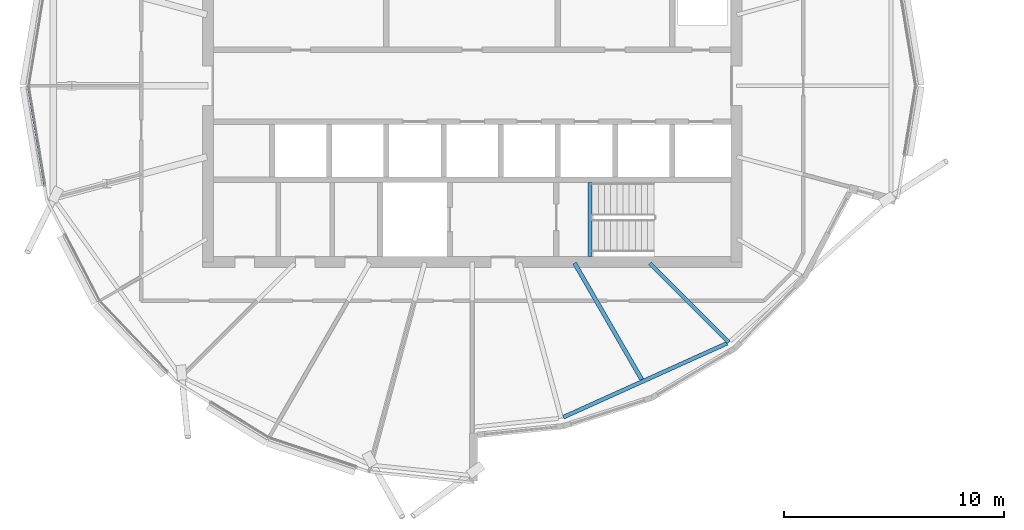
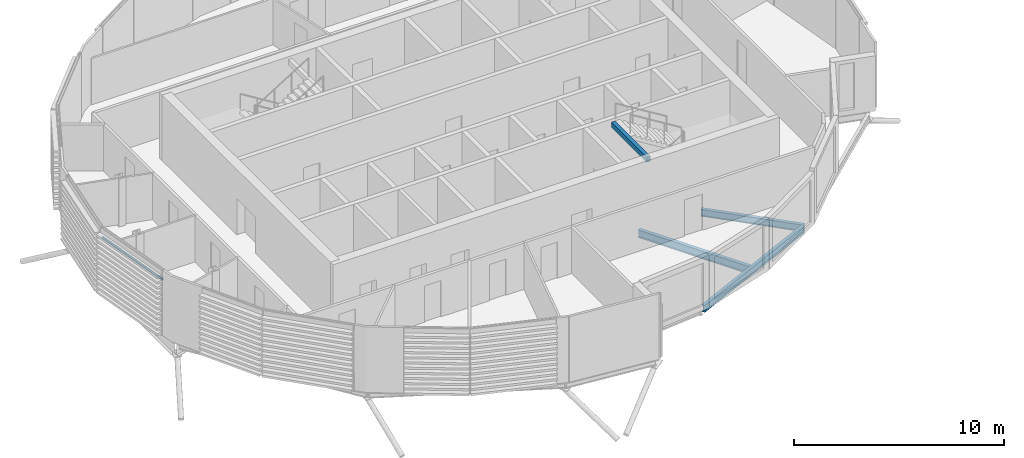
# One storey, part 4 of 34: 4 beams, 1 member, 1 element without a shape of its own.
"""IFC4 building model written with IfcOpenShell, lengths in metres."""

from ifc_helpers import new_model, si_unit, direction, frame, origin, origin_2d, place, context, subcontext, project, spatial, rectangle, hollow_rectangle, i_section, extrude, material, material_profile, profile_set, type_object, element, aggregate, save


model = new_model("IFC4")

# Units and contexts
model_context = context("Model", 3, precision=1e-05, world=origin(), true_north=direction((0.0, 1.0)))
body_context = subcontext(model_context, "Body", "Model", "MODEL_VIEW")
ifc_project = project(units=[si_unit("LENGTHUNIT", "METRE"), si_unit("AREAUNIT", "SQUARE_METRE"), si_unit("VOLUMEUNIT", "CUBIC_METRE"), si_unit("PLANEANGLEUNIT", "RADIAN"), si_unit("MASSUNIT", "GRAM", prefix="KILO")], contexts=[model_context])

# Site, building, storey
site_placement = place(None, origin())
site = spatial("IfcSite", under=ifc_project, at=site_placement, CompositionType="ELEMENT")
building_placement = place(site_placement, origin())
building = spatial("IfcBuilding", under=site, at=building_placement, Name="Rimbun Link Towers", CompositionType="ELEMENT")
storey_placement = place(building_placement, frame((0.0, 0.0, 252.300048828125)))
storey = spatial("IfcBuildingStorey", under=building, at=storey_placement, Name="L62", CompositionType="ELEMENT", Elevation=252.300048828125)

# Curtain wall, member
ifc_material_1 = material(Name="Aluminium 6063-T6 and low-iron glass", Category="aluminium")
curtain_wall_type = type_object("IfcCurtainWallType", Name="CW1-Z4 unitised vision wall (zone 4)", PredefinedType="NOTDEFINED", material=ifc_material_1)
curtain_wall_placement = place(storey_placement, origin())
curtain_wall = element("IfcCurtainWall", 1, at=curtain_wall_placement, inside=storey, type_object=curtain_wall_type, Name="CW1 L62 T1", PredefinedType="NOTDEFINED")
ifc_material_2 = material(Name="Aluminium 6063-T6", Category="aluminium")
ifc_material_profile_1 = material_profile(ifc_material_2, rectangle(XDim=0.06005859375, YDim=0.1201171875, at=origin_2d()), Name="TRANSOM 60X120")
ifc_profile_set_1 = profile_set([ifc_material_profile_1], Name="Aluminium 6063-T6")
member_type = type_object("IfcMemberType", Name="CW1 transom 60X120", PredefinedType="USERDEFINED", material=ifc_profile_set_1)
member_placement = place(storey_placement, frame((-51.1767578125, -4.4990234375, 3.199951171875), z_axis=(-0.16226135535, 0.986747816091, 0.0), x_axis=(-0.986747816091, -0.16226135535, 0.0)))
member = element("IfcMember", 2, at=member_placement, type_object=member_type, Name="CW1 transom", ObjectType="TRANSOM", PredefinedType="USERDEFINED", context=body_context, shape_type="SweptSolid", body=[
    extrude(rectangle(XDim=0.06005859375, YDim=0.1201171875, at=origin_2d()), origin(), (0.0, 0.0, 1.0), 4.519775390625),
])
aggregate(curtain_wall, [member])

# Beams
ifc_material_3 = material(Name="Steel S355J2", Category="steel")
ifc_material_profile_2 = material_profile(ifc_material_3, hollow_rectangle(XDim=0.199951171875, YDim=0.300048828125, WallThickness=0.011962890625, at=origin_2d()), Name="BOX 300x200x12")
ifc_profile_set_2 = profile_set([ifc_material_profile_2], Name="Steel S355J2")
beam_type_1 = type_object("IfcBeamType", Name="Stair trimmer beam BOX 300x200x12", PredefinedType="BEAM", material=ifc_profile_set_2)
beam_1_placement = place(storey_placement, frame((-26.39990234375, -7.75, 3.469970703125), z_axis=(0.0, 1.0, 0.0), x_axis=(-1.0, 0.0, 0.0)))
element("IfcBeam", 3, at=beam_1_placement, inside=storey, type_object=beam_type_1, Name="L62 ST2 stair beam 1", PredefinedType="BEAM", context=body_context, shape_type="SweptSolid", body=[
    extrude(hollow_rectangle(XDim=0.199951171875, YDim=0.300048828125, WallThickness=0.011962890625, at=origin_2d()), origin(), (0.0, 0.0, 1.0), 3.35009765625),
])
ifc_material_4 = material(Name="Steel S355J2", Category="steel")
ifc_material_profile_3 = material_profile(ifc_material_4, i_section(OverallWidth=0.177978515625, OverallDepth=0.406494140625, WebThickness=0.0078125, FlangeThickness=0.0126953125, at=origin_2d()), Name="UB 406x178x60")
ifc_profile_set_3 = profile_set([ifc_material_profile_3], Name="Steel S355J2")
beam_type_2 = type_object("IfcBeamType", Name="UB 406x178x60", PredefinedType="BEAM", material=ifc_profile_set_3)
beam_2_placement = place(storey_placement, frame((-23.686279296875, -8.063720703125, -0.34326171875), z_axis=(0.707106781187, -0.707106781187, 0.0), x_axis=(0.707106781187, 0.707106781187, 0.0)))
element("IfcBeam", 4, at=beam_2_placement, inside=storey, type_object=beam_type_2, Name="Radial beam T1 L62 21", PredefinedType="BEAM", context=body_context, shape_type="SweptSolid", body=[
    extrude(i_section(OverallWidth=0.177978515625, OverallDepth=0.406494140625, WebThickness=0.0078125, FlangeThickness=0.0126953125, at=origin_2d()), origin(), (0.0, 0.0, 1.0), 5.077392578125),
])
beam_3_placement = place(storey_placement, frame((-27.60888671875, -15.046875, -0.34326171875), z_axis=(0.911374588126, 0.411577890705, 0.0), x_axis=(-0.411577890705, 0.911374588126, 0.0)))
element("IfcBeam", 5, at=beam_3_placement, inside=storey, type_object=beam_type_2, Name="Edge beam T1 L62 19-21", PredefinedType="BEAM", context=body_context, shape_type="SweptSolid", body=[
    extrude(i_section(OverallWidth=0.177978515625, OverallDepth=0.406494140625, WebThickness=0.0078125, FlangeThickness=0.0126953125, at=origin_2d()), origin(), (0.0, 0.0, 1.0), 8.1474609375),
])
ifc_material_5 = material(Name="Steel S355J2", Category="steel")
ifc_material_profile_4 = material_profile(ifc_material_5, i_section(OverallWidth=0.18994140625, OverallDepth=0.453369140625, WebThickness=0.008544921875, FlangeThickness=0.0126953125, at=origin_2d()), Name="UB 457x191x67")
ifc_profile_set_4 = profile_set([ifc_material_profile_4], Name="Steel S355J2")
beam_type_3 = type_object("IfcBeamType", Name="UB 457x191x67", PredefinedType="BEAM", material=ifc_profile_set_4)
beam_4_placement = place(storey_placement, frame((-27.103271484375, -8.04833984375, -0.36669921875), z_axis=(0.499997989718, -0.866026564418, 0.0), x_axis=(0.866026564418, 0.499997989718, 0.0)))
element("IfcBeam", 6, at=beam_4_placement, inside=storey, type_object=beam_type_3, Name="Radial beam T1 L62 20", PredefinedType="BEAM", context=body_context, shape_type="SweptSolid", body=[
    extrude(i_section(OverallWidth=0.18994140625, OverallDepth=0.453369140625, WebThickness=0.008544921875, FlangeThickness=0.0126953125, at=origin_2d()), origin(), (0.0, 0.0, 1.0), 6.1103515625),
])

save(model, "model.ifc")
